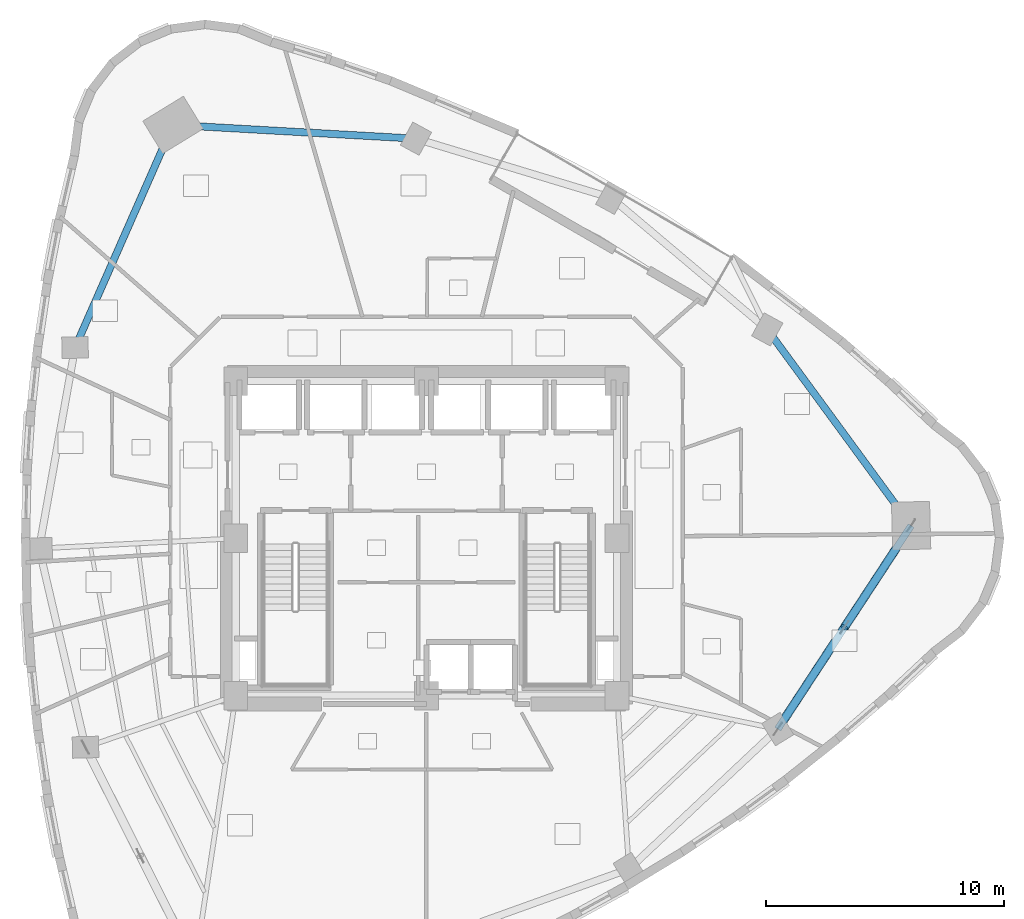
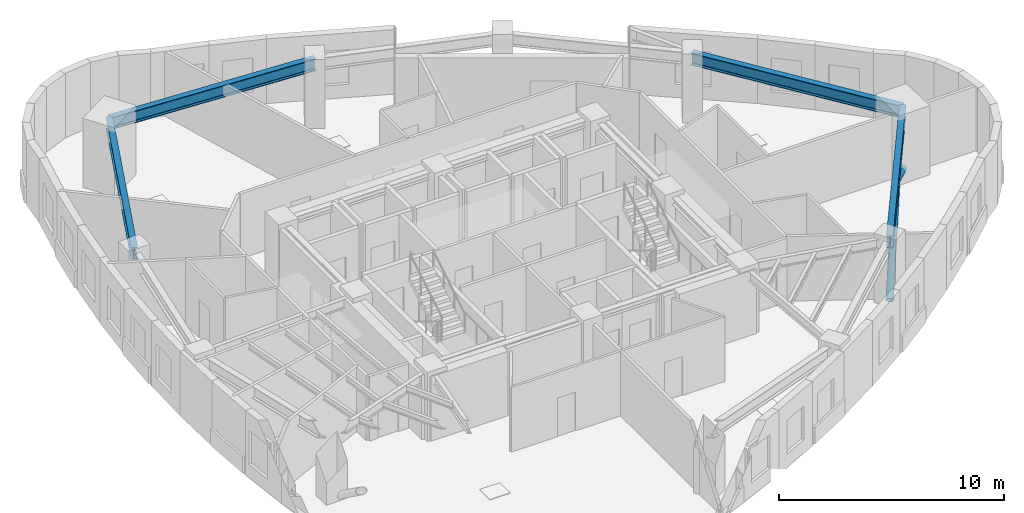
# One storey, part 3 of 14: 4 beams, 2 members.
"""IFC4 building model written with IfcOpenShell, lengths in metres."""

import ifcopenshell
import ifcopenshell.guid

model = None  # the IFC model being written
_history = None  # IfcOwnerHistory: only IFC2X3 demands one
_inside = {}  # id of a spatial element -> (the spatial element, [elements in it])
_under = {}  # id of a project, library or spatial element -> (it, [spatial elements below it])
_declared = {}  # id of a project -> (the project, [libraries it declares])
_typed = {}  # id of a type object -> (the type object, [elements of that type])
_made_of = {}  # id of a material, layer set ... -> (it, [elements and type objects made of it])


def new_model(schema):
    """Start an empty IFC model of exactly this schema.

    Asked for "IFC4X3", IfcOpenShell would pick the latest addendum, in which some entities
    have other attributes; the version numbers below select the first issue.
    IFC2X3 requires an IfcOwnerHistory on every rooted entity: one is made here for all.
    """
    global model, _history
    if schema == "IFC4X3":
        model = ifcopenshell.file(schema_version=(4, 3, 0, 0))
    else:
        model = ifcopenshell.file(schema=schema)
    _inside.clear()
    _under.clear()
    _declared.clear()
    _typed.clear()
    _made_of.clear()
    _history = None
    if model.schema == "IFC2X3":
        org = make("IfcOrganization", Name="unknown")
        user = make(
            "IfcPersonAndOrganization",
            ThePerson=make("IfcPerson", FamilyName="unknown"),
            TheOrganization=org,
        )
        app = make(
            "IfcApplication",
            ApplicationDeveloper=org,
            Version="unknown",
            ApplicationFullName="unknown",
            ApplicationIdentifier="unknown",
        )
        _history = make(
            "IfcOwnerHistory",
            OwningUser=user,
            OwningApplication=app,
            ChangeAction="ADDED",
            CreationDate=0,
        )
    return model


def make(cls, **values):
    """One entity of the class cls with the attributes given. An attribute that is None is left unset."""
    return model.create_entity(
        cls, **{name: value for name, value in values.items() if value is not None}
    )


def rooted(cls, **values):
    """An entity with a GlobalId (a new one), such as an element, a storey or a relation."""
    return make(cls, GlobalId=ifcopenshell.guid.new(), OwnerHistory=_history, **values)


def si_unit(unit_type, name, prefix=None):
    """IfcSIUnit, for example si_unit("LENGTHUNIT", "METRE", prefix="MILLI")."""
    return make("IfcSIUnit", UnitType=unit_type, Prefix=prefix, Name=name)


def assignment(units):
    """IfcUnitAssignment: the units of a project."""
    return None if units is None else make("IfcUnitAssignment", Units=units)


def point(xyz):
    """IfcCartesianPoint."""
    return None if xyz is None else make("IfcCartesianPoint", Coordinates=xyz)


def direction(xyz):
    """IfcDirection."""
    return None if xyz is None else make("IfcDirection", DirectionRatios=xyz)


def frame(location, z_axis=None, x_axis=None):
    """IfcAxis2Placement3D, a coordinate frame: its origin and axes. An axis left out is left unset."""
    return make(
        "IfcAxis2Placement3D",
        Location=point(location),
        Axis=direction(z_axis),
        RefDirection=direction(x_axis),
    )


def frame_2d(location, x_axis=None):
    """IfcAxis2Placement2D, a coordinate frame in the plane: its origin and x axis."""
    return make(
        "IfcAxis2Placement2D", Location=point(location), RefDirection=direction(x_axis)
    )


def origin():
    """The frame at (0, 0, 0) with its axes left unset."""
    return frame((0.0, 0.0, 0.0))


def origin_2d():
    """The frame at (0, 0) in the plane with its x axis left unset."""
    return frame_2d((0.0, 0.0))


def place(relative_to, where):
    """IfcLocalPlacement: puts the frame where relative to a parent placement (None: the world)."""
    return make(
        "IfcLocalPlacement", PlacementRelTo=relative_to, RelativePlacement=where
    )


def context(
    kind, dimensions, precision=None, world=None, true_north=None, identifier=None
):
    """IfcGeometricRepresentationContext, for example the 3D "Model" context."""
    return make(
        "IfcGeometricRepresentationContext",
        ContextIdentifier=identifier,
        ContextType=kind,
        CoordinateSpaceDimension=dimensions,
        Precision=precision,
        WorldCoordinateSystem=world,
        TrueNorth=true_north,
    )


def subcontext(parent, identifier, kind, view, scale=None):
    """IfcGeometricRepresentationSubContext, for example "Body" below "Model"."""
    return make(
        "IfcGeometricRepresentationSubContext",
        ContextIdentifier=identifier,
        ContextType=kind,
        ParentContext=parent,
        TargetScale=scale,
        TargetView=view,
    )


def project(units=None, contexts=None):
    """IfcProject with its units and contexts."""
    return rooted(
        "IfcProject",
        Name="project",
        RepresentationContexts=contexts,
        UnitsInContext=assignment(units),
    )


def spatial(cls, under=None, at=None, **own):
    """A site, building, storey or space (cls), placed at a placement, below another one or the project."""
    s = rooted(cls, ObjectPlacement=at, **own)
    if under is not None:
        _under.setdefault(under.id(), (under, []))[1].append(s)
    return s


def profile(cls, at=None, kind="AREA", **sizes):
    """A parametric profile (cls). Its sizes go by their IFC names, for example OverallWidth=200.0."""
    return make(cls, ProfileType=kind, Position=at, **sizes)


def hollow_circle(**sizes):
    """IfcCircleHollowProfileDef."""
    return profile("IfcCircleHollowProfileDef", **sizes)


def i_section(**sizes):
    """IfcIShapeProfileDef."""
    return profile("IfcIShapeProfileDef", **sizes)


def extrude(swept, where, along, depth):
    """IfcExtrudedAreaSolid: the profile swept, set in the frame where, extruded along a direction by depth."""
    return make(
        "IfcExtrudedAreaSolid",
        SweptArea=swept,
        Position=where,
        ExtrudedDirection=direction(along),
        Depth=depth,
    )


def shape(context_of_items, identifier, shape_type, items):
    """IfcShapeRepresentation: the items that make up one representation, for example the "Body"."""
    return make(
        "IfcShapeRepresentation",
        ContextOfItems=context_of_items,
        RepresentationIdentifier=identifier,
        RepresentationType=shape_type,
        Items=items,
    )


def material(Name=None, Category=None):
    """IfcMaterial."""
    return make("IfcMaterial", Name=Name, Category=Category)


def material_profile(
    of_material, cross_section, Name=None, Category=None, Priority=None
):
    """IfcMaterialProfile: a cross section and its material."""
    return make(
        "IfcMaterialProfile",
        Name=Name,
        Material=of_material,
        Profile=cross_section,
        Priority=Priority,
        Category=Category,
    )


def profile_set(profiles, Name=None, composite=None):
    """IfcMaterialProfileSet."""
    return make(
        "IfcMaterialProfileSet",
        Name=Name,
        MaterialProfiles=profiles,
        CompositeProfile=composite,
    )


def made_of(thing, what):
    """Note that an element or type object is made of a material, layer set ...; save() writes the relation."""
    if what is not None:
        _made_of.setdefault(what.id(), (what, []))[1].append(thing)
    return thing


def type_object(cls, material=None, **own):
    """A type object (cls), such as IfcWallType, which elements share."""
    return made_of(rooted(cls, **own), material)


def element(
    cls,
    number,
    at=None,
    inside=None,
    cuts=None,
    type_object=None,
    material=None,
    context=None,
    identifier="Body",
    shape_type=None,
    held_by="IfcProductDefinitionShape",
    body=None,
    shapes=None,
    **own,
):
    """One element of the class cls, such as IfcWall. Its Tag is "e" and its number.

    at: its placement. inside: the storey or other place that contains it. cuts: it is an
    opening in that element (IfcRelVoidsElement). A single representation is given by context,
    identifier, shape_type and body (its items); several are given by shapes. held_by: the class
    of the entity that holds the representations. save() writes the other relations.
    """
    e = rooted(cls, Tag="e%d" % number, ObjectPlacement=at, **own)
    if body is not None:
        shapes = [shape(context, identifier, shape_type, body)]
    if shapes is not None:
        e.Representation = make(held_by, Representations=shapes)
    if inside is not None:
        _inside.setdefault(inside.id(), (inside, []))[1].append(e)
    if cuts is not None:
        rooted(
            "IfcRelVoidsElement", RelatingBuildingElement=cuts, RelatedOpeningElement=e
        )
    if type_object is not None:
        _typed.setdefault(type_object.id(), (type_object, []))[1].append(e)
    return made_of(e, material)


def aggregate(whole, parts):
    """IfcRelAggregates: a whole, such as a stair, and the parts it consists of."""
    return rooted("IfcRelAggregates", RelatingObject=whole, RelatedObjects=parts)


def save(model, path):
    """Write the relations noted so far, then the file.

    IfcRelAggregates (storeys below a building ...), IfcRelContainedInSpatialStructure (elements
    in a storey), IfcRelDefinesByType, IfcRelAssociatesMaterial and IfcRelDeclares: one each for
    every whole, place, type object, material and project.
    """
    for whole, parts in _under.values():
        aggregate(whole, parts)
    for where, things in _inside.values():
        rooted(
            "IfcRelContainedInSpatialStructure",
            RelatedElements=things,
            RelatingStructure=where,
        )
    for kind, things in _typed.values():
        rooted("IfcRelDefinesByType", RelatedObjects=things, RelatingType=kind)
    for what, things in _made_of.values():
        rooted("IfcRelAssociatesMaterial", RelatedObjects=things, RelatingMaterial=what)
    for by, libraries in _declared.values():
        rooted("IfcRelDeclares", RelatingContext=by, RelatedDefinitions=libraries)
    model.write(path)


model = new_model("IFC4")

# Units and contexts
model_context = context("Model", 3, precision=1e-05, world=origin(), true_north=direction((0.0, 1.0)))
body_context = subcontext(model_context, "Body", "Model", "MODEL_VIEW")
ifc_project = project(units=[si_unit("LENGTHUNIT", "METRE"), si_unit("AREAUNIT", "SQUARE_METRE"), si_unit("VOLUMEUNIT", "CUBIC_METRE"), si_unit("PLANEANGLEUNIT", "RADIAN"), si_unit("MASSUNIT", "GRAM", prefix="KILO")], contexts=[model_context])

# Site, building, storey
site_placement = place(None, origin())
site = spatial("IfcSite", under=ifc_project, at=site_placement, CompositionType="ELEMENT")
building_placement = place(site_placement, origin())
building = spatial("IfcBuilding", under=site, at=building_placement, Name="Ndelora Gate Hotel", CompositionType="ELEMENT")
storey_placement = place(building_placement, frame((0.0, 0.0, 119.75)))
storey = spatial("IfcBuildingStorey", under=building, at=storey_placement, Name="L29", CompositionType="ELEMENT", Elevation=119.75)

# Beams
ifc_material = material(Name="Steel S355", Category="steel")
ifc_material_profile_1 = material_profile(ifc_material, i_section(OverallWidth=0.300048828125, OverallDepth=0.64990234375, WebThickness=0.01611328125, FlangeThickness=0.031005859375, FilletRadius=0.027099609375, at=origin_2d()), Name="HEB 650")
ifc_profile_set_1 = profile_set([ifc_material_profile_1], Name="Steel S355")
beam_type = type_object("IfcBeamType", Name="BM-RING-650", PredefinedType="SPANDREL", material=ifc_profile_set_1)
beam_1_placement = place(storey_placement, frame((-10.63330078125, 17.351806640625, 3.175048828125), z_axis=(-0.402852396707, -0.915264959707, 0.0), x_axis=(0.915264959707, -0.402852396707, 0.0)))
element("IfcBeam", 1, at=beam_1_placement, inside=storey, type_object=beam_type, Name="L29 Perimeter Spandrel Girder 1", PredefinedType="SPANDREL", context=body_context, shape_type="SweptSolid", body=[
    extrude(i_section(OverallWidth=0.300048828125, OverallDepth=0.64990234375, WebThickness=0.01611328125, FlangeThickness=0.031005859375, FilletRadius=0.027099609375, at=origin_2d()), origin(), (0.0, 0.0, 1.0), 10.21044921875),
])
for number, where, z_axis, x_axis, name in (
    (2, (14.74658203125, -8.006591796875, 3.175048828125), (0.548194123818, 0.836351123998, 0.0), (-0.836351123998, 0.548194123818, 0.0), "L29 Perimeter Spandrel Girder 8"),
    (3, (20.34375, 0.53271484375, 3.175048828125), (-0.591229932094, 0.806503048597, 0.0), (-0.806503048597, -0.591229932094, 0.0), "L29 Perimeter Spandrel Girder 9"),
):
    element("IfcBeam", number, at=place(storey_placement, frame(where, z_axis=z_axis, x_axis=x_axis)), inside=storey, type_object=beam_type, Name=name, PredefinedType="SPANDREL", context=body_context, shape_type="SweptSolid", body=[
        extrude(i_section(OverallWidth=0.300048828125, OverallDepth=0.64990234375, WebThickness=0.01611328125, FlangeThickness=0.031005859375, FilletRadius=0.027099609375, at=origin_2d()), origin(), (0.0, 0.0, 1.0), 10.210205078125),
    ])
beam_2_placement = place(storey_placement, frame((-0.439208984375, 16.7744140625, 3.175048828125), z_axis=(-0.998399808671, 0.056549288648, 0.0), x_axis=(-0.056549288648, -0.998399808671, 0.0)))
element("IfcBeam", 4, at=beam_2_placement, inside=storey, type_object=beam_type, Name="L29 Perimeter Spandrel Girder 12", PredefinedType="SPANDREL", context=body_context, shape_type="SweptSolid", body=[
    extrude(i_section(OverallWidth=0.300048828125, OverallDepth=0.64990234375, WebThickness=0.01611328125, FlangeThickness=0.031005859375, FilletRadius=0.027099609375, at=origin_2d()), origin(), (0.0, 0.0, 1.0), 10.21044921875),
])

# Members
ifc_material_profile_2 = material_profile(ifc_material, hollow_circle(Radius=0.177978515625, WallThickness=0.01611328125, at=origin_2d()), Name="CHS 356x16")
ifc_profile_set_2 = profile_set([ifc_material_profile_2], Name="Steel S355")
member_type = type_object("IfcMemberType", Name="MB-TUBE-356", PredefinedType="BRACE", material=ifc_profile_set_2)
member_1_placement = place(storey_placement, frame((14.74658203125, -8.006591796875, 0.02001953125), z_axis=(0.47546124485, 0.725365632901, 0.497776358671), x_axis=(-0.836343937987, 0.548205086982, 0.0)))
element("IfcMember", 5, at=member_1_placement, inside=storey, type_object=member_type, Name="L29 Perimeter Braced-Tube Diagonal 8A", PredefinedType="BRACE", context=body_context, shape_type="SweptSolid", body=[
    extrude(hollow_circle(Radius=0.177978515625, WallThickness=0.01611328125, at=origin_2d()), origin(), (0.0, 0.0, 1.0), 5.885986328125),
])
member_2_placement = place(storey_placement, frame((20.34375, 0.53271484375, 0.02001953125), z_axis=(-0.475446940052, -0.7253852861, 0.497761382497), x_axis=(0.836358309577, -0.548183160997, 0.0)))
element("IfcMember", 6, at=member_2_placement, inside=storey, type_object=member_type, Name="L29 Perimeter Braced-Tube Diagonal 8B", PredefinedType="BRACE", context=body_context, shape_type="SweptSolid", body=[
    extrude(hollow_circle(Radius=0.177978515625, WallThickness=0.01611328125, at=origin_2d()), origin(), (0.0, 0.0, 1.0), 5.88623046875),
])

save(model, "model.ifc")
